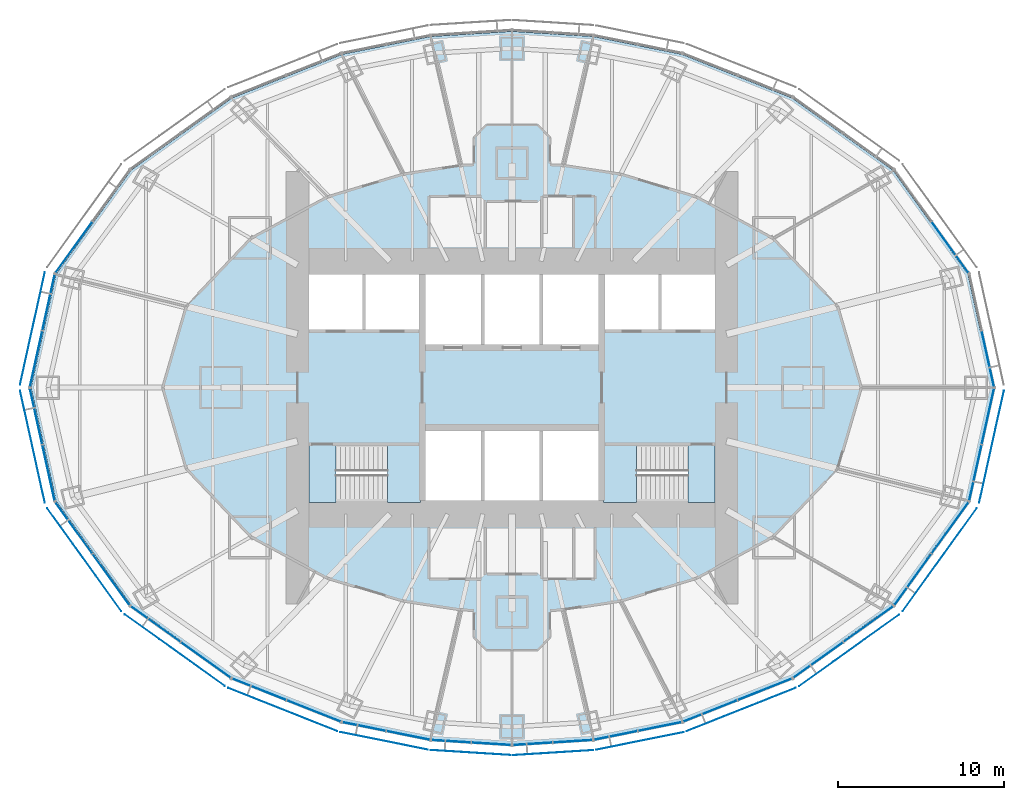
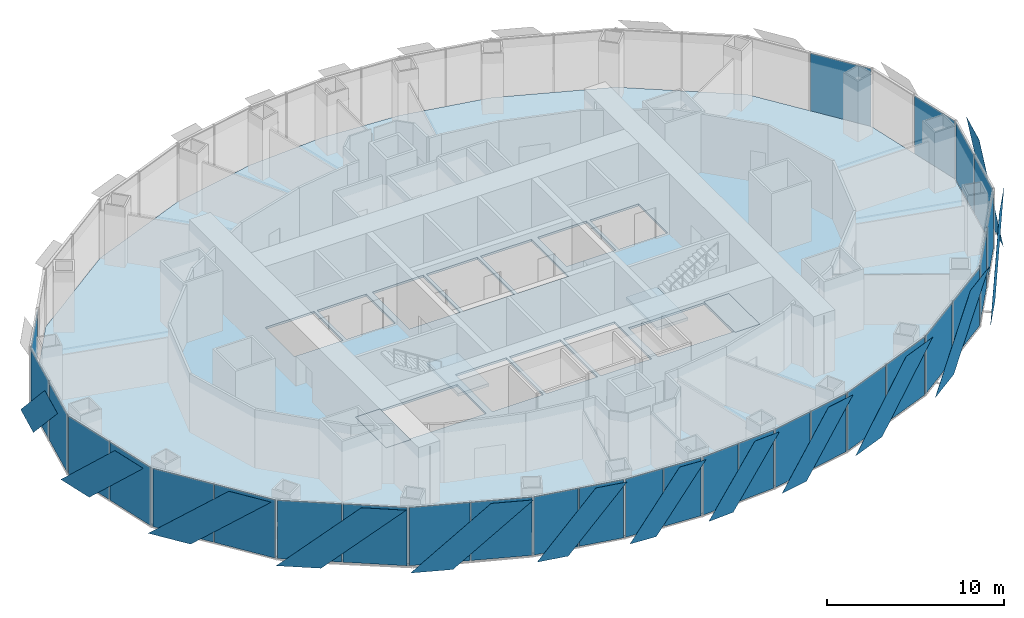
# One storey, part 9 of 18: 42 plates, 5 slabs, 18 elements without a shape of their own.
"""IFC4 building model written with IfcOpenShell, lengths in metres."""

from ifc_helpers import new_model, si_unit, direction, frame, origin, origin_2d, place, context, subcontext, project, spatial, polyline, rectangle, outline, extrude, material, layer, layer_set, type_object, element, aggregate, save


model = new_model("IFC4")

# Units and contexts
model_context = context("Model", 3, precision=1e-05, world=origin(), true_north=direction((0.0, 1.0)))
body_context = subcontext(model_context, "Body", "Model", "MODEL_VIEW")
ifc_project = project(units=[si_unit("LENGTHUNIT", "METRE"), si_unit("AREAUNIT", "SQUARE_METRE"), si_unit("VOLUMEUNIT", "CUBIC_METRE"), si_unit("PLANEANGLEUNIT", "RADIAN"), si_unit("MASSUNIT", "GRAM", prefix="KILO")], contexts=[model_context])

# Site, building, storey
site_placement = place(None, origin())
site = spatial("IfcSite", under=ifc_project, at=site_placement, CompositionType="ELEMENT")
building_placement = place(site_placement, origin())
building = spatial("IfcBuilding", under=site, at=building_placement, Name="Lantaw Convention Tower", CompositionType="ELEMENT")
storey_placement = place(building_placement, frame((0.0, 0.0, 146.800048828125)))
storey = spatial("IfcBuildingStorey", under=building, at=storey_placement, Name="L34", CompositionType="ELEMENT", Elevation=146.800048828125)

# Curtain wall, plate
ifc_material_1 = material(Name="Aluminium framed curtain wall", Category="aluminium")
curtain_wall_type = type_object("IfcCurtainWallType", Name="Office curtain wall low rise, pale aluminium", PredefinedType="USERDEFINED", material=ifc_material_1)
curtain_wall_1_placement = place(storey_placement, origin())
curtain_wall_1 = element("IfcCurtainWall", 1, at=curtain_wall_1_placement, inside=storey, type_object=curtain_wall_type, Name="Office curtain wall low rise, pale aluminium L34", ObjectType="UNITISED CURTAIN WALL", PredefinedType="USERDEFINED")
ifc_material_2 = material(Name="Clear insulating glass", Category="glass")
ifc_layer_1 = layer(ifc_material_2, 0.028076171875)
ifc_layer_set_1 = layer_set([ifc_layer_1], Name="CW-O1 panel 28")
plate_type_1 = type_object("IfcPlateType", Name="CW-O1 panel 28", PredefinedType="CURTAIN_PANEL", material=ifc_layer_set_1)
plate_1_placement = place(storey_placement, frame((28.618408203125, 1.729248046875, -0.0849609375), z_axis=(0.0, 0.0, 1.0), x_axis=(-0.215546166174, 0.9764936509, 0.0)))
plate_1 = element("IfcPlate", 2, at=plate_1_placement, type_object=plate_type_1, Name="CW-O1 panel 1.1", PredefinedType="CURTAIN_PANEL", context=body_context, shape_type="SweptSolid", body=[
    extrude(rectangle(XDim=3.41162109375, YDim=0.028076171875, at=origin_2d()), origin(), (0.0, 0.0, 1.0), 4.02001953125),
])
aggregate(curtain_wall_1, [plate_1])

curtain_wall_2_placement = place(storey_placement, origin())
curtain_wall_2 = element("IfcCurtainWall", 3, at=curtain_wall_2_placement, inside=storey, type_object=curtain_wall_type, Name="Office curtain wall low rise, pale aluminium L34", ObjectType="UNITISED CURTAIN WALL", PredefinedType="USERDEFINED")
plate_2_placement = place(storey_placement, frame((26.34814453125, 8.4345703125, -0.0849609375), z_axis=(0.0, 0.0, 1.0), x_axis=(-0.584512597221, 0.811384633629, 0.0)))
plate_2 = element("IfcPlate", 4, at=plate_2_placement, type_object=plate_type_1, Name="CW-O1 panel 1.1", PredefinedType="CURTAIN_PANEL", context=body_context, shape_type="SweptSolid", body=[
    extrude(rectangle(XDim=3.767333984375, YDim=0.028076171875, at=origin_2d()), origin(), (0.0, 0.0, 1.0), 4.02001953125),
])
aggregate(curtain_wall_2, [plate_2])

curtain_wall_3_placement = place(storey_placement, origin())
curtain_wall_3 = element("IfcCurtainWall", 5, at=curtain_wall_3_placement, inside=storey, type_object=curtain_wall_type, Name="Office curtain wall low rise, pale aluminium L34", ObjectType="UNITISED CURTAIN WALL", PredefinedType="USERDEFINED")
plate_3_placement = place(storey_placement, frame((-26.34814453125, 8.4345703125, -0.0849609375), z_axis=(0.0, 0.0, 1.0), x_axis=(-0.584512597221, -0.811384633629, 0.0)))
plate_3 = element("IfcPlate", 6, at=plate_3_placement, type_object=plate_type_1, Name="CW-O1 panel 2.1", PredefinedType="CURTAIN_PANEL", context=body_context, shape_type="SweptSolid", body=[
    extrude(rectangle(XDim=3.767333984375, YDim=0.028076171875, at=origin_2d()), origin(), (0.0, 0.0, 1.0), 4.02001953125),
])
aggregate(curtain_wall_3, [plate_3])

# Curtain wall, plates
curtain_wall_4_placement = place(storey_placement, origin())
curtain_wall_4 = element("IfcCurtainWall", 7, at=curtain_wall_4_placement, inside=storey, type_object=curtain_wall_type, Name="Office curtain wall low rise, pale aluminium L34", ObjectType="UNITISED CURTAIN WALL", PredefinedType="USERDEFINED")
plate_4_placement = place(storey_placement, frame((-27.868896484375, 5.1240234375, -0.0849609375), z_axis=(0.0, 0.0, 1.0), x_axis=(-0.215546166174, -0.9764936509, 0.0)))
plate_4 = element("IfcPlate", 8, at=plate_4_placement, type_object=plate_type_1, Name="CW-O1 panel 1.1", PredefinedType="CURTAIN_PANEL", context=body_context, shape_type="SweptSolid", body=[
    extrude(rectangle(XDim=3.41162109375, YDim=0.028076171875, at=origin_2d()), origin(), (0.0, 0.0, 1.0), 4.02001953125),
])
plate_5_placement = place(storey_placement, frame((-28.618408203125, 1.729248046875, -0.0849609375), z_axis=(0.0, 0.0, 1.0), x_axis=(-0.215546166174, -0.9764936509, 0.0)))
plate_5 = element("IfcPlate", 9, at=plate_5_placement, type_object=plate_type_1, Name="CW-O1 panel 2.1", PredefinedType="CURTAIN_PANEL", context=body_context, shape_type="SweptSolid", body=[
    extrude(rectangle(XDim=3.41162109375, YDim=0.028076171875, at=origin_2d()), origin(), (0.0, 0.0, 1.0), 4.02001953125),
])
aggregate(curtain_wall_4, [plate_4, plate_5])

curtain_wall_5_placement = place(storey_placement, origin())
curtain_wall_5 = element("IfcCurtainWall", 10, at=curtain_wall_5_placement, inside=storey, type_object=curtain_wall_type, Name="Office curtain wall low rise, pale aluminium L34", ObjectType="UNITISED CURTAIN WALL", PredefinedType="USERDEFINED")
plate_6_placement = place(storey_placement, frame((-28.618408203125, -1.729248046875, -0.0849609375), z_axis=(0.0, 0.0, 1.0), x_axis=(0.215546166174, -0.9764936509, 0.0)))
plate_6 = element("IfcPlate", 11, at=plate_6_placement, type_object=plate_type_1, Name="CW-O1 panel 1.1", PredefinedType="CURTAIN_PANEL", context=body_context, shape_type="SweptSolid", body=[
    extrude(rectangle(XDim=3.41162109375, YDim=0.028076171875, at=origin_2d()), origin(), (0.0, 0.0, 1.0), 4.02001953125),
])
plate_7_placement = place(storey_placement, frame((-27.868896484375, -5.1240234375, -0.0849609375), z_axis=(0.0, 0.0, 1.0), x_axis=(0.215546166174, -0.9764936509, 0.0)))
plate_7 = element("IfcPlate", 12, at=plate_7_placement, type_object=plate_type_1, Name="CW-O1 panel 2.1", PredefinedType="CURTAIN_PANEL", context=body_context, shape_type="SweptSolid", body=[
    extrude(rectangle(XDim=3.41162109375, YDim=0.028076171875, at=origin_2d()), origin(), (0.0, 0.0, 1.0), 4.02001953125),
])
aggregate(curtain_wall_5, [plate_6, plate_7])

curtain_wall_6_placement = place(storey_placement, origin())
curtain_wall_6 = element("IfcCurtainWall", 13, at=curtain_wall_6_placement, inside=storey, type_object=curtain_wall_type, Name="Office curtain wall low rise, pale aluminium L34", ObjectType="UNITISED CURTAIN WALL", PredefinedType="USERDEFINED")
plate_8_placement = place(storey_placement, frame((-26.34814453125, -8.4345703125, -0.0849609375), z_axis=(0.0, 0.0, 1.0), x_axis=(0.584512597221, -0.811384633629, 0.0)))
plate_8 = element("IfcPlate", 14, at=plate_8_placement, type_object=plate_type_1, Name="CW-O1 panel 1.1", PredefinedType="CURTAIN_PANEL", context=body_context, shape_type="SweptSolid", body=[
    extrude(rectangle(XDim=3.767333984375, YDim=0.028076171875, at=origin_2d()), origin(), (0.0, 0.0, 1.0), 4.02001953125),
])
plate_9_placement = place(storey_placement, frame((-24.108154296875, -11.5439453125, -0.0849609375), z_axis=(0.0, 0.0, 1.0), x_axis=(0.584512597221, -0.811384633629, 0.0)))
plate_9 = element("IfcPlate", 15, at=plate_9_placement, type_object=plate_type_1, Name="CW-O1 panel 2.1", PredefinedType="CURTAIN_PANEL", context=body_context, shape_type="SweptSolid", body=[
    extrude(rectangle(XDim=3.767333984375, YDim=0.028076171875, at=origin_2d()), origin(), (0.0, 0.0, 1.0), 4.02001953125),
])
aggregate(curtain_wall_6, [plate_8, plate_9])

curtain_wall_7_placement = place(storey_placement, origin())
curtain_wall_7 = element("IfcCurtainWall", 16, at=curtain_wall_7_placement, inside=storey, type_object=curtain_wall_type, Name="Office curtain wall low rise, pale aluminium L34", ObjectType="UNITISED CURTAIN WALL", PredefinedType="USERDEFINED")
plate_10_placement = place(storey_placement, frame((-21.43408203125, -14.2236328125, -0.0849609375), z_axis=(0.0, 0.0, 1.0), x_axis=(0.813208325995, -0.581972695693, 0.0)))
plate_10 = element("IfcPlate", 17, at=plate_10_placement, type_object=plate_type_1, Name="CW-O1 panel 1.1", PredefinedType="CURTAIN_PANEL", context=body_context, shape_type="SweptSolid", body=[
    extrude(rectangle(XDim=3.645263671875, YDim=0.028076171875, at=origin_2d()), origin(), (0.0, 0.0, 1.0), 4.02001953125),
])
plate_11_placement = place(storey_placement, frame((-18.416748046875, -16.383056640625, -0.0849609375), z_axis=(0.0, 0.0, 1.0), x_axis=(0.813208325995, -0.581972695693, 0.0)))
plate_11 = element("IfcPlate", 18, at=plate_11_placement, type_object=plate_type_1, Name="CW-O1 panel 2.1", PredefinedType="CURTAIN_PANEL", context=body_context, shape_type="SweptSolid", body=[
    extrude(rectangle(XDim=3.645263671875, YDim=0.028076171875, at=origin_2d()), origin(), (0.0, 0.0, 1.0), 4.02001953125),
])
aggregate(curtain_wall_7, [plate_10, plate_11])

curtain_wall_8_placement = place(storey_placement, origin())
curtain_wall_8 = element("IfcCurtainWall", 19, at=curtain_wall_8_placement, inside=storey, type_object=curtain_wall_type, Name="Office curtain wall low rise, pale aluminium L34", ObjectType="UNITISED CURTAIN WALL", PredefinedType="USERDEFINED")
plate_12_placement = place(storey_placement, frame((-15.208251953125, -18.145263671875, -0.0849609375), z_axis=(0.0, 0.0, 1.0), x_axis=(0.929547687544, -0.368701907483, 0.0)))
plate_12 = element("IfcPlate", 20, at=plate_12_placement, type_object=plate_type_1, Name="CW-O1 panel 1.1", PredefinedType="CURTAIN_PANEL", context=body_context, shape_type="SweptSolid", body=[
    extrude(rectangle(XDim=3.470703125, YDim=0.028076171875, at=origin_2d()), origin(), (0.0, 0.0, 1.0), 4.02001953125),
])
plate_13_placement = place(storey_placement, frame((-11.921630859375, -19.448974609375, -0.0849609375), z_axis=(0.0, 0.0, 1.0), x_axis=(0.929547687544, -0.368701907483, 0.0)))
plate_13 = element("IfcPlate", 21, at=plate_13_placement, type_object=plate_type_1, Name="CW-O1 panel 2.1", PredefinedType="CURTAIN_PANEL", context=body_context, shape_type="SweptSolid", body=[
    extrude(rectangle(XDim=3.470703125, YDim=0.028076171875, at=origin_2d()), origin(), (0.0, 0.0, 1.0), 4.02001953125),
])
aggregate(curtain_wall_8, [plate_12, plate_13])

curtain_wall_9_placement = place(storey_placement, origin())
curtain_wall_9 = element("IfcCurtainWall", 22, at=curtain_wall_9_placement, inside=storey, type_object=curtain_wall_type, Name="Office curtain wall low rise, pale aluminium L34", ObjectType="UNITISED CURTAIN WALL", PredefinedType="USERDEFINED")
plate_14_placement = place(storey_placement, frame((-8.893310546875, -20.3857421875, -0.0849609375), z_axis=(0.0, 0.0, 1.0), x_axis=(0.980301514912, -0.197506809659, 0.0)))
plate_14 = element("IfcPlate", 23, at=plate_14_placement, type_object=plate_type_1, Name="CW-O1 panel 1.1", PredefinedType="CURTAIN_PANEL", context=body_context, shape_type="SweptSolid", body=[
    extrude(rectangle(XDim=2.634033203125, YDim=0.028076171875, at=origin_2d()), origin(), (0.0, 0.0, 1.0), 4.02001953125),
])
plate_15_placement = place(storey_placement, frame((-6.247314453125, -20.9189453125, -0.0849609375), z_axis=(0.0, 0.0, 1.0), x_axis=(0.980301514912, -0.197506809659, 0.0)))
plate_15 = element("IfcPlate", 24, at=plate_15_placement, type_object=plate_type_1, Name="CW-O1 panel 2.1", PredefinedType="CURTAIN_PANEL", context=body_context, shape_type="SweptSolid", body=[
    extrude(rectangle(XDim=2.634033203125, YDim=0.028076171875, at=origin_2d()), origin(), (0.0, 0.0, 1.0), 4.02001953125),
])
aggregate(curtain_wall_9, [plate_14, plate_15])

curtain_wall_10_placement = place(storey_placement, origin())
curtain_wall_10 = element("IfcCurtainWall", 25, at=curtain_wall_10_placement, inside=storey, type_object=curtain_wall_type, Name="Office curtain wall low rise, pale aluminium L34", ObjectType="UNITISED CURTAIN WALL", PredefinedType="USERDEFINED")
plate_16_placement = place(storey_placement, frame((-3.653076171875, -21.269775390625, -0.0849609375), z_axis=(0.0, 0.0, 1.0), x_axis=(0.998022035978, -0.062865059466, 0.0)))
plate_16 = element("IfcPlate", 26, at=plate_16_placement, type_object=plate_type_1, Name="CW-O1 panel 1.1", PredefinedType="CURTAIN_PANEL", context=body_context, shape_type="SweptSolid", body=[
    extrude(rectangle(XDim=2.353515625, YDim=0.028076171875, at=origin_2d()), origin(), (0.0, 0.0, 1.0), 4.02001953125),
])
plate_17_placement = place(storey_placement, frame((-1.2392578125, -21.421875, -0.0849609375), z_axis=(0.0, 0.0, 1.0), x_axis=(0.998022035978, -0.062865059466, 0.0)))
plate_17 = element("IfcPlate", 27, at=plate_17_placement, type_object=plate_type_1, Name="CW-O1 panel 2.1", PredefinedType="CURTAIN_PANEL", context=body_context, shape_type="SweptSolid", body=[
    extrude(rectangle(XDim=2.353515625, YDim=0.028076171875, at=origin_2d()), origin(), (0.0, 0.0, 1.0), 4.02001953125),
])
aggregate(curtain_wall_10, [plate_16, plate_17])

curtain_wall_11_placement = place(storey_placement, origin())
curtain_wall_11 = element("IfcCurtainWall", 28, at=curtain_wall_11_placement, inside=storey, type_object=curtain_wall_type, Name="Office curtain wall low rise, pale aluminium L34", ObjectType="UNITISED CURTAIN WALL", PredefinedType="USERDEFINED")
plate_18_placement = place(storey_placement, frame((1.2392578125, -21.421875, -0.0849609375), z_axis=(0.0, 0.0, 1.0), x_axis=(0.998022035978, 0.062865059466, 0.0)))
plate_18 = element("IfcPlate", 29, at=plate_18_placement, type_object=plate_type_1, Name="CW-O1 panel 1.1", PredefinedType="CURTAIN_PANEL", context=body_context, shape_type="SweptSolid", body=[
    extrude(rectangle(XDim=2.353515625, YDim=0.028076171875, at=origin_2d()), origin(), (0.0, 0.0, 1.0), 4.02001953125),
])
plate_19_placement = place(storey_placement, frame((3.653076171875, -21.269775390625, -0.0849609375), z_axis=(0.0, 0.0, 1.0), x_axis=(0.998022035978, 0.062865059466, 0.0)))
plate_19 = element("IfcPlate", 30, at=plate_19_placement, type_object=plate_type_1, Name="CW-O1 panel 2.1", PredefinedType="CURTAIN_PANEL", context=body_context, shape_type="SweptSolid", body=[
    extrude(rectangle(XDim=2.353515625, YDim=0.028076171875, at=origin_2d()), origin(), (0.0, 0.0, 1.0), 4.02001953125),
])
aggregate(curtain_wall_11, [plate_18, plate_19])

curtain_wall_12_placement = place(storey_placement, origin())
curtain_wall_12 = element("IfcCurtainWall", 31, at=curtain_wall_12_placement, inside=storey, type_object=curtain_wall_type, Name="Office curtain wall low rise, pale aluminium L34", ObjectType="UNITISED CURTAIN WALL", PredefinedType="USERDEFINED")
plate_20_placement = place(storey_placement, frame((6.247314453125, -20.9189453125, -0.0849609375), z_axis=(0.0, 0.0, 1.0), x_axis=(0.980301514912, 0.197506809659, 0.0)))
plate_20 = element("IfcPlate", 32, at=plate_20_placement, type_object=plate_type_1, Name="CW-O1 panel 1.1", PredefinedType="CURTAIN_PANEL", context=body_context, shape_type="SweptSolid", body=[
    extrude(rectangle(XDim=2.634033203125, YDim=0.028076171875, at=origin_2d()), origin(), (0.0, 0.0, 1.0), 4.02001953125),
])
plate_21_placement = place(storey_placement, frame((8.893310546875, -20.3857421875, -0.0849609375), z_axis=(0.0, 0.0, 1.0), x_axis=(0.980301514912, 0.197506809659, 0.0)))
plate_21 = element("IfcPlate", 33, at=plate_21_placement, type_object=plate_type_1, Name="CW-O1 panel 2.1", PredefinedType="CURTAIN_PANEL", context=body_context, shape_type="SweptSolid", body=[
    extrude(rectangle(XDim=2.634033203125, YDim=0.028076171875, at=origin_2d()), origin(), (0.0, 0.0, 1.0), 4.02001953125),
])
aggregate(curtain_wall_12, [plate_20, plate_21])

curtain_wall_13_placement = place(storey_placement, origin())
curtain_wall_13 = element("IfcCurtainWall", 34, at=curtain_wall_13_placement, inside=storey, type_object=curtain_wall_type, Name="Office curtain wall low rise, pale aluminium L34", ObjectType="UNITISED CURTAIN WALL", PredefinedType="USERDEFINED")
plate_22_placement = place(storey_placement, frame((11.921630859375, -19.448974609375, -0.0849609375), z_axis=(0.0, 0.0, 1.0), x_axis=(0.929547687544, 0.368701907483, 0.0)))
plate_22 = element("IfcPlate", 35, at=plate_22_placement, type_object=plate_type_1, Name="CW-O1 panel 1.1", PredefinedType="CURTAIN_PANEL", context=body_context, shape_type="SweptSolid", body=[
    extrude(rectangle(XDim=3.470703125, YDim=0.028076171875, at=origin_2d()), origin(), (0.0, 0.0, 1.0), 4.02001953125),
])
plate_23_placement = place(storey_placement, frame((15.208251953125, -18.145263671875, -0.0849609375), z_axis=(0.0, 0.0, 1.0), x_axis=(0.929547687544, 0.368701907483, 0.0)))
plate_23 = element("IfcPlate", 36, at=plate_23_placement, type_object=plate_type_1, Name="CW-O1 panel 2.1", PredefinedType="CURTAIN_PANEL", context=body_context, shape_type="SweptSolid", body=[
    extrude(rectangle(XDim=3.470703125, YDim=0.028076171875, at=origin_2d()), origin(), (0.0, 0.0, 1.0), 4.02001953125),
])
aggregate(curtain_wall_13, [plate_22, plate_23])

curtain_wall_14_placement = place(storey_placement, origin())
curtain_wall_14 = element("IfcCurtainWall", 37, at=curtain_wall_14_placement, inside=storey, type_object=curtain_wall_type, Name="Office curtain wall low rise, pale aluminium L34", ObjectType="UNITISED CURTAIN WALL", PredefinedType="USERDEFINED")
plate_24_placement = place(storey_placement, frame((18.416748046875, -16.383056640625, -0.0849609375), z_axis=(0.0, 0.0, 1.0), x_axis=(0.813208325995, 0.581972695693, 0.0)))
plate_24 = element("IfcPlate", 38, at=plate_24_placement, type_object=plate_type_1, Name="CW-O1 panel 1.1", PredefinedType="CURTAIN_PANEL", context=body_context, shape_type="SweptSolid", body=[
    extrude(rectangle(XDim=3.645263671875, YDim=0.028076171875, at=origin_2d()), origin(), (0.0, 0.0, 1.0), 4.02001953125),
])
plate_25_placement = place(storey_placement, frame((21.43408203125, -14.2236328125, -0.0849609375), z_axis=(0.0, 0.0, 1.0), x_axis=(0.813208325995, 0.581972695693, 0.0)))
plate_25 = element("IfcPlate", 39, at=plate_25_placement, type_object=plate_type_1, Name="CW-O1 panel 2.1", PredefinedType="CURTAIN_PANEL", context=body_context, shape_type="SweptSolid", body=[
    extrude(rectangle(XDim=3.645263671875, YDim=0.028076171875, at=origin_2d()), origin(), (0.0, 0.0, 1.0), 4.02001953125),
])
aggregate(curtain_wall_14, [plate_24, plate_25])

curtain_wall_15_placement = place(storey_placement, origin())
curtain_wall_15 = element("IfcCurtainWall", 40, at=curtain_wall_15_placement, inside=storey, type_object=curtain_wall_type, Name="Office curtain wall low rise, pale aluminium L34", ObjectType="UNITISED CURTAIN WALL", PredefinedType="USERDEFINED")
plate_26_placement = place(storey_placement, frame((24.108154296875, -11.5439453125, -0.0849609375), z_axis=(0.0, 0.0, 1.0), x_axis=(0.584512597221, 0.811384633629, 0.0)))
plate_26 = element("IfcPlate", 41, at=plate_26_placement, type_object=plate_type_1, Name="CW-O1 panel 1.1", PredefinedType="CURTAIN_PANEL", context=body_context, shape_type="SweptSolid", body=[
    extrude(rectangle(XDim=3.767333984375, YDim=0.028076171875, at=origin_2d()), origin(), (0.0, 0.0, 1.0), 4.02001953125),
])
plate_27_placement = place(storey_placement, frame((26.34814453125, -8.4345703125, -0.0849609375), z_axis=(0.0, 0.0, 1.0), x_axis=(0.584512597221, 0.811384633629, 0.0)))
plate_27 = element("IfcPlate", 42, at=plate_27_placement, type_object=plate_type_1, Name="CW-O1 panel 2.1", PredefinedType="CURTAIN_PANEL", context=body_context, shape_type="SweptSolid", body=[
    extrude(rectangle(XDim=3.767333984375, YDim=0.028076171875, at=origin_2d()), origin(), (0.0, 0.0, 1.0), 4.02001953125),
])
aggregate(curtain_wall_15, [plate_26, plate_27])

curtain_wall_16_placement = place(storey_placement, origin())
curtain_wall_16 = element("IfcCurtainWall", 43, at=curtain_wall_16_placement, inside=storey, type_object=curtain_wall_type, Name="Office curtain wall low rise, pale aluminium L34", ObjectType="UNITISED CURTAIN WALL", PredefinedType="USERDEFINED")
plate_28_placement = place(storey_placement, frame((27.868896484375, -5.1240234375, -0.0849609375), z_axis=(0.0, 0.0, 1.0), x_axis=(0.215546166174, 0.9764936509, 0.0)))
plate_28 = element("IfcPlate", 44, at=plate_28_placement, type_object=plate_type_1, Name="CW-O1 panel 1.1", PredefinedType="CURTAIN_PANEL", context=body_context, shape_type="SweptSolid", body=[
    extrude(rectangle(XDim=3.41162109375, YDim=0.028076171875, at=origin_2d()), origin(), (0.0, 0.0, 1.0), 4.02001953125),
])
plate_29_placement = place(storey_placement, frame((28.618408203125, -1.729248046875, -0.0849609375), z_axis=(0.0, 0.0, 1.0), x_axis=(0.215546166174, 0.9764936509, 0.0)))
plate_29 = element("IfcPlate", 45, at=plate_29_placement, type_object=plate_type_1, Name="CW-O1 panel 2.1", PredefinedType="CURTAIN_PANEL", context=body_context, shape_type="SweptSolid", body=[
    extrude(rectangle(XDim=3.41162109375, YDim=0.028076171875, at=origin_2d()), origin(), (0.0, 0.0, 1.0), 4.02001953125),
])
aggregate(curtain_wall_16, [plate_28, plate_29])

# Slab
ifc_material_3 = material(Name="Concrete C35/45", Category="concrete")
ifc_layer_2 = layer(ifc_material_3, 0.14990234375)
ifc_layer_set_2 = layer_set([ifc_layer_2], Name="Floor slab 150")
slab_type_1 = type_object("IfcSlabType", Name="Floor slab 150", PredefinedType="FLOOR", material=ifc_layer_set_2)
slab_1_placement = place(storey_placement, frame((0.0, 0.0, -0.150146484375)))
element("IfcSlab", 46, at=slab_1_placement, inside=storey, type_object=slab_type_1, Name="L34 floor slab", PredefinedType="FLOOR", context=body_context, shape_type="SweptSolid", body=[
    extrude(outline(polyline([(27.417236328125, -6.822021484375), (28.923095703125, 0.0), (27.417236328125, 6.822021484375), (22.915283203125, 13.0712890625), (16.845458984375, 17.415283203125), (10.2265625, 20.04052734375), (4.8828125, 21.1171875), (0.0, 21.4248046875), (-4.8828125, 21.1171875), (-10.2265625, 20.04052734375), (-16.845458984375, 17.415283203125), (-22.915283203125, 13.0712890625), (-27.417236328125, 6.822021484375), (-28.923095703125, 0.0), (-27.417236328125, -6.822021484375), (-22.915283203125, -13.0712890625), (-16.845458984375, -17.415283203125), (-10.2265625, -20.04052734375), (-4.8828125, -21.1171875), (0.0, -21.4248046875), (4.8828125, -21.1171875), (10.2265625, -20.04052734375), (16.845458984375, -17.415283203125), (22.915283203125, -13.0712890625), (27.417236328125, -6.822021484375)]), holes=[polyline([(-5.60009765625, -3.5), (-12.199951171875, -3.5), (-12.199951171875, -6.800048828125), (-5.60009765625, -6.800048828125), (-5.60009765625, -3.5)]), polyline([(-1.86669921875, -6.800048828125), (-1.86669921875, -2.60009765625), (-5.199951171875, -2.60009765625), (-5.199951171875, -6.800048828125), (-1.86669921875, -6.800048828125)]), polyline([(-1.86669921875, 2.60009765625), (-1.86669921875, 6.800048828125), (-5.199951171875, 6.800048828125), (-5.199951171875, 2.60009765625), (-1.86669921875, 2.60009765625)]), polyline([(1.666748046875, 6.800048828125), (-1.666748046875, 6.800048828125), (-1.666748046875, 2.60009765625), (1.666748046875, 2.60009765625), (1.666748046875, 6.800048828125)]), polyline([(-9.0, 3.5), (-9.0, 6.800048828125), (-12.199951171875, 6.800048828125), (-12.199951171875, 3.5), (-9.0, 3.5)]), polyline([(-5.60009765625, 3.5), (-5.60009765625, 6.800048828125), (-8.800048828125, 6.800048828125), (-8.800048828125, 3.5), (-5.60009765625, 3.5)]), polyline([(12.199951171875, -3.5), (5.60009765625, -3.5), (5.60009765625, -6.800048828125), (12.199951171875, -6.800048828125), (12.199951171875, -3.5)]), polyline([(1.666748046875, -6.800048828125), (1.666748046875, -2.60009765625), (-1.666748046875, -2.60009765625), (-1.666748046875, -6.800048828125), (1.666748046875, -6.800048828125)]), polyline([(5.199951171875, -6.800048828125), (5.199951171875, -2.60009765625), (1.86669921875, -2.60009765625), (1.86669921875, -6.800048828125), (5.199951171875, -6.800048828125)]), polyline([(5.199951171875, 6.800048828125), (1.86669921875, 6.800048828125), (1.86669921875, 2.60009765625), (5.199951171875, 2.60009765625), (5.199951171875, 6.800048828125)]), polyline([(8.800048828125, 3.5), (8.800048828125, 6.800048828125), (5.60009765625, 6.800048828125), (5.60009765625, 3.5), (8.800048828125, 3.5)]), polyline([(12.199951171875, 3.5), (12.199951171875, 6.800048828125), (9.0, 6.800048828125), (9.0, 3.5), (12.199951171875, 3.5)])]), origin(), (0.0, 0.0, 1.0), 0.150146484375),
])

# Plates
ifc_material_4 = material(Name="Perforated aluminium sheet, pale silver finish", Category="aluminium")
ifc_layer_3 = layer(ifc_material_4, 0.006103515625)
ifc_layer_set_3 = layer_set([ifc_layer_3], Name="Perforated aluminium solar SCREEN panel")
plate_type_2 = type_object("IfcPlateType", Name="Perforated aluminium solar SCREEN panel", PredefinedType="SHEET", material=ifc_layer_set_3)
plate_30_placement = place(storey_placement, frame((-28.08984375, 6.93505859375, -0.175048828125), z_axis=(0.976497812463, -0.215527309509, 3.332717e-05), x_axis=(-0.215527309629, -0.976497813005, -1.665e-09)))
element("IfcPlate", 47, at=plate_30_placement, inside=storey, type_object=plate_type_2, Name="Solar SCREEN panel", PredefinedType="SHEET", context=body_context, shape_type="SweptSolid", body=[
    extrude(outline(polyline([(0.0, 0.0), (2.386131748388921, 0.0), (6.918240176095255, -4.340087904553372), (4.532055808734257, -4.3400878966079945), (0.0, 0.0)])), origin(), (0.0, 0.0, -1.0), 0.006103515625),
])
plate_31_placement = place(storey_placement, frame((-29.5810546875, -0.179443359375, -0.175048828125), z_axis=(-0.976497812463, -0.215527309509, 3.332717e-05), x_axis=(0.215527309629, -0.976497813005, 1.665e-09)))
element("IfcPlate", 48, at=plate_31_placement, inside=storey, type_object=plate_type_2, Name="Solar SCREEN panel", PredefinedType="SHEET", context=body_context, shape_type="SweptSolid", body=[
    extrude(outline(polyline([(0.0, 0.0), (2.3861843673609986, 3.3881317890172014e-21), (6.918240190546627, 4.340087881517419), (4.532108442157707, 4.340087889462621), (0.0, 0.0)])), origin(), (0.0, 0.0, -1.0), 0.006103515625),
])
plate_32_placement = place(storey_placement, frame((-27.94970703125, -7.248046875, -0.175048828125), z_axis=(-0.81139512159, -0.584498037099, 3.5886784e-05), x_axis=(0.584498037475, -0.811395122112, -9.74e-10)))
element("IfcPlate", 49, at=plate_32_placement, inside=storey, type_object=plate_type_2, Name="Solar SCREEN panel", PredefinedType="SHEET", context=body_context, shape_type="SweptSolid", body=[
    extrude(outline(polyline([(0.0, 0.0), (2.628222178575422, -6.776263578034403e-21), (7.629778257969264, 4.340087900852944), (5.001754173906077, 4.340087895732103), (0.0, 0.0)])), origin(), (0.0, 0.0, -1.0), 0.006103515625),
])
plate_33_placement = place(storey_placement, frame((-23.281005859375, -13.64697265625, -0.175048828125), z_axis=(-0.582000183937, -0.813188653244, 1.1537145e-05), x_axis=(0.813188653298, -0.582000183975, 0.0)))
element("IfcPlate", 50, at=plate_33_placement, inside=storey, type_object=plate_type_2, Name="Solar SCREEN panel", PredefinedType="SHEET", context=body_context, shape_type="SweptSolid", body=[
    extrude(outline(polyline([(0.0, 0.0), (2.5450183911586484, 0.0), (7.385531276904658, 4.340087890913846), (4.840512885746009, 4.340087890913846), (0.0, 0.0)])), origin(), (0.0, 0.0, -1.0), 0.006103515625),
])
plate_34_placement = place(storey_placement, frame((-17.05859375, -18.063232421875, -0.175048828125), z_axis=(0.368708915367, 0.929544907797, 1.086705e-05), x_axis=(0.929544907851, -0.368708915389, 7.1e-10)))
element("IfcPlate", 51, at=plate_34_placement, inside=storey, type_object=plate_type_2, Name="Solar SCREEN panel", PredefinedType="SHEET", context=body_context, shape_type="SweptSolid", body=[
    extrude(outline(polyline([(0.0, 0.0), (2.4263803793049097, -1.6940658945086007e-21), (7.036549629566982, -4.340087885886879), (4.61003232741235, -4.340087889331358), (0.0, 0.0)])), origin(), (0.0, 0.0, -1.0), 0.006103515625),
])
plate_35_placement = place(storey_placement, frame((-10.318603515625, -20.716796875, -0.175048828125), z_axis=(-0.197556725442, -0.980291455983, 3.9483498e-05), x_axis=(0.980291456747, -0.197556725596, 0.0)))
element("IfcPlate", 52, at=plate_35_placement, inside=storey, type_object=plate_type_2, Name="Solar SCREEN panel", PredefinedType="SHEET", context=body_context, shape_type="SweptSolid", body=[
    extrude(outline(polyline([(0.0, 0.0), (1.8574075788555457, 3.3881317890172014e-21), (5.362987026845185, 4.340087894007983), (3.505579447989639, 4.340087894007983), (0.0, 0.0)])), origin(), (0.0, 0.0, -1.0), 0.006103515625),
])
plate_36_placement = place(storey_placement, frame((-4.880615234375, -21.7998046875, -0.175048828125), z_axis=(-0.062838799866, -0.998023689713, 1.755059e-06), x_axis=(0.998023689715, -0.062838799866, -8e-12)))
element("IfcPlate", 53, at=plate_36_placement, inside=storey, type_object=plate_type_2, Name="Solar SCREEN panel", PredefinedType="SHEET", context=body_context, shape_type="SweptSolid", body=[
    extrude(outline(polyline([(0.0, 0.0), (1.6666243269452135, 2.6469779601696886e-23), (4.802214797186689, 4.340087890670476), (3.135346812114104, 4.340087890643548), (0.0, 0.0)])), origin(), (0.0, 0.0, -1.0), 0.006103515625),
])
plate_37_placement = place(storey_placement, frame((0.087890625, -22.1015625, -0.175048828125), z_axis=(-0.062838799866, 0.998023689713, 1.755059e-06), x_axis=(0.998023689715, 0.062838799866, 8e-12)))
element("IfcPlate", 54, at=plate_37_placement, inside=storey, type_object=plate_type_2, Name="Solar SCREEN panel", PredefinedType="SHEET", context=body_context, shape_type="SweptSolid", body=[
    extrude(outline(polyline([(0.0, 0.0), (1.6668679850725854, -5.293955920339377e-23), (4.802214797256801, -4.340087890592899), (3.1355904703115876, -4.340087890619822), (0.0, 0.0)])), origin(), (0.0, 0.0, -1.0), 0.006103515625),
])
plate_38_placement = place(storey_placement, frame((5.061279296875, -21.776123046875, -0.175048828125), z_axis=(-0.197556725442, 0.980291455983, 3.9483498e-05), x_axis=(0.980291456747, 0.197556725596, 0.0)))
element("IfcPlate", 55, at=plate_38_placement, inside=storey, type_object=plate_type_2, Name="Solar SCREEN panel", PredefinedType="SHEET", context=body_context, shape_type="SweptSolid", body=[
    extrude(outline(polyline([(0.0, 0.0), (1.8574075788555457, -3.3881317890172014e-21), (5.362987026845185, -4.340087894007983), (3.505579447989639, -4.340087894007983), (0.0, 0.0)])), origin(), (0.0, 0.0, -1.0), 0.006103515625),
])
plate_39_placement = place(storey_placement, frame((10.517822265625, -20.65771484375, -0.175048828125), z_axis=(0.368708915367, -0.929544907797, 1.086705e-05), x_axis=(0.929544907851, 0.368708915389, -7.1e-10)))
element("IfcPlate", 56, at=plate_39_placement, inside=storey, type_object=plate_type_2, Name="Solar SCREEN panel", PredefinedType="SHEET", context=body_context, shape_type="SweptSolid", body=[
    extrude(outline(polyline([(0.0, 0.0), (2.426517302154632, -1.6940658945086007e-21), (7.036549623406159, 4.340087895875372), (4.610169244101249, 4.340087892431086), (0.0, 0.0)])), origin(), (0.0, 0.0, -1.0), 0.006103515625),
])
plate_40_placement = place(storey_placement, frame((17.275146484375, -17.9453125, -0.175048828125), z_axis=(-0.582000183937, 0.813188653244, 1.1537145e-05), x_axis=(0.813188653298, 0.582000183975, 0.0)))
element("IfcPlate", 57, at=plate_40_placement, inside=storey, type_object=plate_type_2, Name="Solar SCREEN panel", PredefinedType="SHEET", context=body_context, shape_type="SweptSolid", body=[
    extrude(outline(polyline([(0.0, 0.0), (2.5450183911586484, 0.0), (7.385531276904658, -4.340087890913846), (4.840512885746009, -4.340087890913846), (0.0, 0.0)])), origin(), (0.0, 0.0, -1.0), 0.006103515625),
])
plate_41_placement = place(storey_placement, frame((23.489990234375, -13.438720703125, -0.175048828125), z_axis=(-0.81139512159, 0.584498037099, 3.5886784e-05), x_axis=(0.584498037475, 0.811395122112, 9.74e-10)))
element("IfcPlate", 58, at=plate_41_placement, inside=storey, type_object=plate_type_2, Name="Solar SCREEN panel", PredefinedType="SHEET", context=body_context, shape_type="SweptSolid", body=[
    extrude(outline(polyline([(0.0, 0.0), (2.6280240840631874, -6.776263578034403e-21), (7.6297782664261495, -4.340087885985926), (5.0015560878507275, -4.340087891107152), (0.0, 0.0)])), origin(), (0.0, 0.0, -1.0), 0.006103515625),
])
plate_42_placement = place(storey_placement, frame((28.08984375, -6.93505859375, -0.175048828125), z_axis=(-0.976497812463, 0.215527309509, 3.332717e-05), x_axis=(0.215527309629, 0.976497813005, -1.665e-09)))
element("IfcPlate", 59, at=plate_42_placement, inside=storey, type_object=plate_type_2, Name="Solar SCREEN panel", PredefinedType="SHEET", context=body_context, shape_type="SweptSolid", body=[
    extrude(outline(polyline([(0.0, 0.0), (2.386131748388921, 0.0), (6.918240176095255, -4.340087904553372), (4.532055808734257, -4.3400878966079945), (0.0, 0.0)])), origin(), (0.0, 0.0, -1.0), 0.006103515625),
])

# Stair, slabs
stair_type = type_object("IfcStairType", Name="Exit stair 1500 riser 175 in 2 flights", PredefinedType="HALF_TURN_STAIR", material=ifc_material_3)
stair_1_placement = place(storey_placement, origin())
stair_1 = element("IfcStair", 60, at=stair_1_placement, inside=storey, type_object=stair_type, Name="Exit stair S1 L34", PredefinedType="HALF_TURN_STAIR")
ifc_layer_4 = layer(ifc_material_3, 0.199951171875)
ifc_layer_set_4 = layer_set([ifc_layer_4], Name="Stair landing 200")
slab_type_2 = type_object("IfcSlabType", Name="Stair landing 200", PredefinedType="LANDING", material=ifc_layer_set_4)
slab_2_placement = place(storey_placement, frame((0.0, 0.0, -0.199951171875)))
slab_2 = element("IfcSlab", 61, at=slab_2_placement, type_object=slab_type_2, Name="S1 landing 1", PredefinedType="LANDING", context=body_context, shape_type="SweptSolid", body=[
    extrude(outline(polyline([(-12.199951171875, -6.89990234375), (-10.580078125, -6.89990234375), (-10.580078125, -3.39990234375), (-12.199951171875, -3.39990234375), (-12.199951171875, -6.89990234375)])), origin(), (0.0, 0.0, 1.0), 0.199951171875),
])
slab_3_placement = place(storey_placement, frame((0.0, 0.0, 1.89990234375)))
slab_3 = element("IfcSlab", 62, at=slab_3_placement, type_object=slab_type_2, Name="S1 landing 2", PredefinedType="LANDING", context=body_context, shape_type="SweptSolid", body=[
    extrude(outline(polyline([(-7.5, -6.89990234375), (-5.5, -6.89990234375), (-5.5, -3.39990234375), (-7.5, -3.39990234375), (-7.5, -6.89990234375)])), origin(), (0.0, 0.0, 1.0), 0.199951171875),
])
aggregate(stair_1, [slab_2, slab_3])

stair_2_placement = place(storey_placement, origin())
stair_2 = element("IfcStair", 63, at=stair_2_placement, inside=storey, type_object=stair_type, Name="Exit stair S2 L34", PredefinedType="HALF_TURN_STAIR")
slab_4_placement = place(storey_placement, frame((0.0, 0.0, -0.199951171875)))
slab_4 = element("IfcSlab", 64, at=slab_4_placement, type_object=slab_type_2, Name="S2 landing 1", PredefinedType="LANDING", context=body_context, shape_type="SweptSolid", body=[
    extrude(outline(polyline([(10.580078125, -6.89990234375), (12.199951171875, -6.89990234375), (12.199951171875, -3.39990234375), (10.580078125, -3.39990234375), (10.580078125, -6.89990234375)])), origin(), (0.0, 0.0, 1.0), 0.199951171875),
])
slab_5_placement = place(storey_placement, frame((0.0, 0.0, 1.89990234375)))
slab_5 = element("IfcSlab", 65, at=slab_5_placement, type_object=slab_type_2, Name="S2 landing 2", PredefinedType="LANDING", context=body_context, shape_type="SweptSolid", body=[
    extrude(outline(polyline([(5.5, -6.89990234375), (7.5, -6.89990234375), (7.5, -3.39990234375), (5.5, -3.39990234375), (5.5, -6.89990234375)])), origin(), (0.0, 0.0, 1.0), 0.199951171875),
])
aggregate(stair_2, [slab_4, slab_5])

save(model, "model.ifc")
